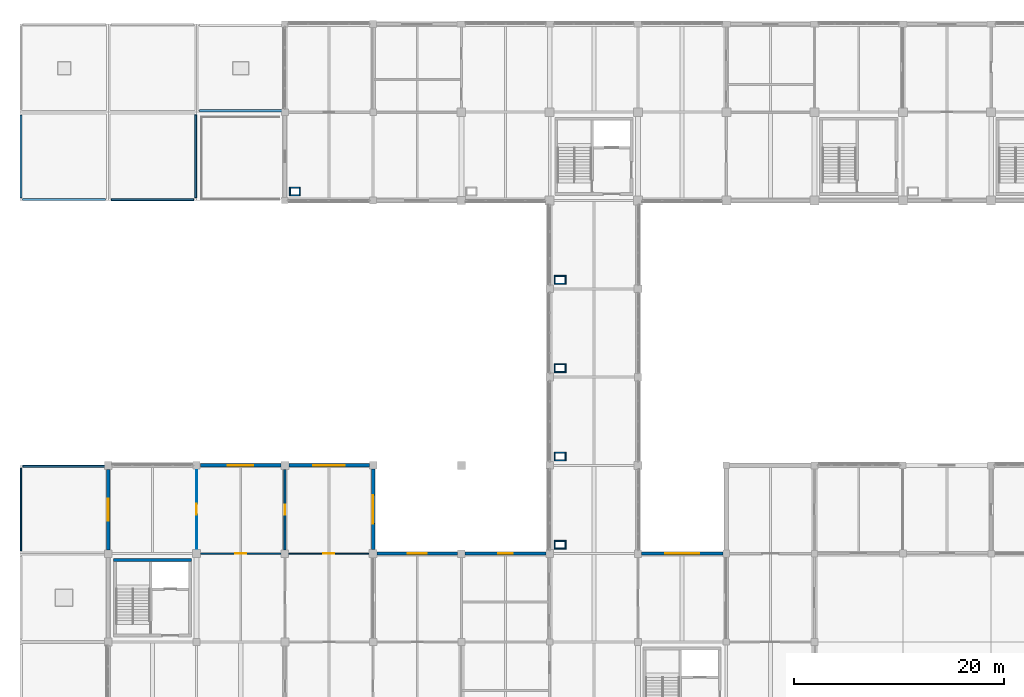
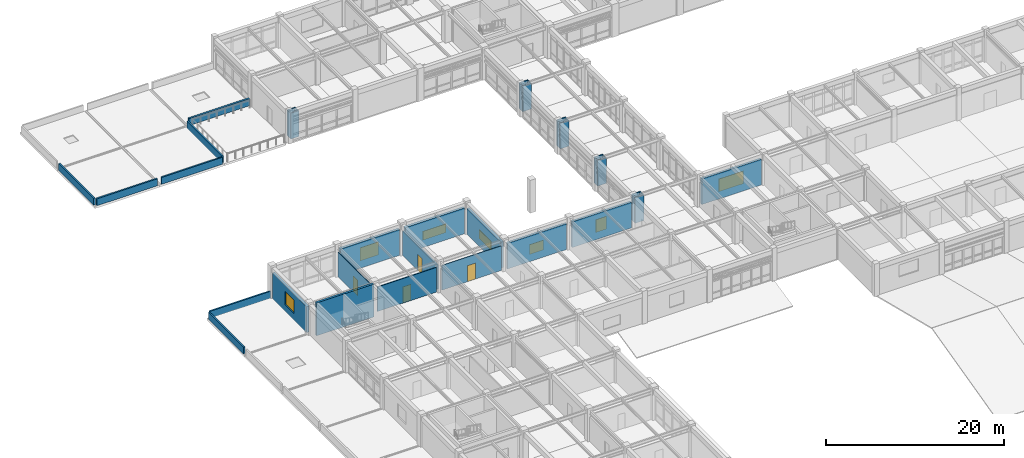
# One storey, part 65 of 78: 39 walls, 7 windows, 4 doors, 11 openings.
"""IFC4 building model written with IfcOpenShell, lengths in metres."""

from ifc_helpers import new_model, si_unit, direction, frame, frame_2d, origin, place, context, subcontext, project, spatial, rectangle, extrude, material, layer, layer_set, type_object, element, fill, save


model = new_model("IFC4")

# Units and contexts
model_context = context("Model", 3, precision=1e-05, world=origin(), true_north=direction((0.0, 1.0)))
body_context = subcontext(model_context, "Body", "Model", "MODEL_VIEW")
ifc_project = project(units=[si_unit("LENGTHUNIT", "METRE"), si_unit("AREAUNIT", "SQUARE_METRE"), si_unit("VOLUMEUNIT", "CUBIC_METRE"), si_unit("PLANEANGLEUNIT", "RADIAN"), si_unit("MASSUNIT", "GRAM", prefix="KILO")], contexts=[model_context])

# Site, building, storey
site_placement = place(None, origin())
site = spatial("IfcSite", under=ifc_project, at=site_placement, CompositionType="ELEMENT")
building_placement = place(site_placement, origin())
building = spatial("IfcBuilding", under=site, at=building_placement, Name="Porcellanite Civic Hall", CompositionType="ELEMENT")
storey_placement = place(building_placement, frame((0.0, 0.0, 10.260009765625)))
storey = spatial("IfcBuildingStorey", under=building, at=storey_placement, Name="L02", CompositionType="ELEMENT", Elevation=10.260009765625)

# Wall
ifc_material_1 = material(Name="Concrete N40 (40 MPa)", Category="concrete")
ifc_layer_1 = layer(ifc_material_1, 0.280029296875)
ifc_layer_set_1 = layer_set([ifc_layer_1], Name="Concrete N40 (40 MPa)")
wall_type_1 = type_object("IfcWallType", Name="CW-SH280", PredefinedType="SHEAR", material=ifc_layer_set_1)
wall_1_placement = place(storey_placement, frame((8.8798828125, 66.580078125, 0.0), z_axis=(0.0, 0.0, 1.0), x_axis=(1.0, 0.0, 0.0)))
element("IfcWall", 1, at=wall_1_placement, inside=storey, type_object=wall_type_1, Name="Core wall C2 L02 N", PredefinedType="SHEAR", context=body_context, shape_type="SweptSolid", body=[
    extrude(rectangle(XDim=7.440185546875, YDim=0.280029296875, at=frame_2d((3.72021484375, 0.0))), origin(), (0.0, 0.0, 1.0), 4.5),
])

# Wall, opening, window
ifc_material_2 = material(Name="Precast concrete N40 (40 MPa)", Category="concrete")
ifc_layer_2 = layer(ifc_material_2, 0.280029296875)
ifc_layer_set_2 = layer_set([ifc_layer_2], Name="Precast concrete N40 (40 MPa)")
wall_type_2 = type_object("IfcWallType", Name="EW-CLO280", PredefinedType="SOLIDWALL", material=ifc_layer_set_2)
wall_2_placement = place(storey_placement, frame((33.97607421875, 67.199951171875, 0.0), z_axis=(0.0, 0.0, 1.0), x_axis=(1.0, 0.0, 0.0)))
wall_2 = element("IfcWall", 2, at=wall_2_placement, inside=storey, type_object=wall_type_2, Name="Exterior wall L02 N 5-8", PredefinedType="SOLIDWALL", context=body_context, shape_type="SweptSolid", body=[
    extrude(rectangle(XDim=7.6728515625, YDim=0.280029296875, at=frame_2d((3.83642578125, 0.0))), origin(), (0.0, 0.0, 1.0), 3.5400390625),
])
opening_1_placement = place(wall_2_placement, frame((2.93701171875, 0.0, 0.89990234375)))
opening_1 = element("IfcOpeningElement", 3, at=opening_1_placement, cuts=wall_2, Name="Opening W12", PredefinedType="OPENING", context=body_context, shape_type="SweptSolid", body=[
    extrude(rectangle(XDim=1.800048828125, YDim=1.35009765625, at=frame_2d((0.89990234375, 0.675048828125))), frame((0.0, 0.14013671875, 0.0), z_axis=(0.0, -1.0, 0.0), x_axis=(1.0, 0.0, 0.0)), (0.0, 0.0, 1.0), 0.280029296875),
])
ifc_material_3 = material(Name="Cyclone laminated low-E glazing in anodised aluminium frame", Category="aluminium")
window_type_1 = type_object("IfcWindowType", Name="WN-12", PartitioningType="DOUBLE_PANEL_VERTICAL", PredefinedType="WINDOW", material=ifc_material_3)
window_1_placement = place(opening_1_placement, origin())
window_1 = element("IfcWindow", 4, at=window_1_placement, inside=storey, type_object=window_type_1, Name="Window W12 L02 N 5-8", OverallHeight=1.35009765625, OverallWidth=1.800048828125, PartitioningType="SINGLE_PANEL", PredefinedType="WINDOW", context=body_context, shape_type="SweptSolid", body=[
    extrude(rectangle(XDim=1.800048828125, YDim=1.35009765625, at=frame_2d((0.89990234375, 0.675048828125))), frame((0.0, 0.030029296875, 0.0), z_axis=(0.0, -1.0, 0.0), x_axis=(1.0, 0.0, 0.0)), (0.0, 0.0, 1.0), 0.06005859375),
])
fill(opening_1, window_1)

wall_3_placement = place(storey_placement, frame((42.35107421875, 67.199951171875, 0.0), z_axis=(0.0, 0.0, 1.0), x_axis=(1.0, 0.0, 0.0)))
wall_3 = element("IfcWall", 5, at=wall_3_placement, inside=storey, type_object=wall_type_2, Name="Exterior wall L02 N 6-8", PredefinedType="SOLIDWALL", context=body_context, shape_type="SweptSolid", body=[
    extrude(rectangle(XDim=7.6728515625, YDim=0.280029296875, at=frame_2d((3.83642578125, 0.0))), origin(), (0.0, 0.0, 1.0), 3.5400390625),
])
opening_2_placement = place(wall_3_placement, frame((3.135986328125, 0.0, 0.89990234375)))
opening_2 = element("IfcOpeningElement", 6, at=opening_2_placement, cuts=wall_3, Name="Opening W16", PredefinedType="OPENING", context=body_context, shape_type="SweptSolid", body=[
    extrude(rectangle(XDim=1.39990234375, YDim=1.75, at=frame_2d((0.699951171875, 0.875))), frame((0.0, 0.14013671875, 0.0), z_axis=(0.0, -1.0, 0.0), x_axis=(1.0, 0.0, 0.0)), (0.0, 0.0, 1.0), 0.280029296875),
])
ifc_material_4 = material(Name="Cyclone laminated low-E glazing in anodised aluminium frame", Category="aluminium")
window_type_2 = type_object("IfcWindowType", Name="WN-16", PartitioningType="SINGLE_PANEL", PredefinedType="WINDOW", material=ifc_material_4)
window_2_placement = place(opening_2_placement, origin())
window_2 = element("IfcWindow", 7, at=window_2_placement, inside=storey, type_object=window_type_2, Name="Window W16 L02 N 6-8", OverallHeight=1.75, OverallWidth=1.39990234375, PartitioningType="SINGLE_PANEL", PredefinedType="WINDOW", context=body_context, shape_type="SweptSolid", body=[
    extrude(rectangle(XDim=1.39990234375, YDim=1.75, at=frame_2d((0.699951171875, 0.875))), frame((0.0, 0.030029296875, 0.0), z_axis=(0.0, -1.0, 0.0), x_axis=(1.0, 0.0, 0.0)), (0.0, 0.0, 1.0), 0.06005859375),
])
fill(opening_2, window_2)

wall_4_placement = place(storey_placement, frame((59.15087890625, 67.199951171875, 0.0), z_axis=(0.0, 0.0, 1.0), x_axis=(1.0, 0.0, 0.0)))
wall_4 = element("IfcWall", 8, at=wall_4_placement, inside=storey, type_object=wall_type_2, Name="Exterior wall L02 N 8-8", PredefinedType="SOLIDWALL", context=body_context, shape_type="SweptSolid", body=[
    extrude(rectangle(XDim=7.72314453125, YDim=0.280029296875, at=frame_2d((3.861572265625, 0.0))), origin(), (0.0, 0.0, 1.0), 3.5400390625),
])
opening_3_placement = place(wall_4_placement, frame((2.260986328125, 0.0, 0.89990234375)))
opening_3 = element("IfcOpeningElement", 9, at=opening_3_placement, cuts=wall_4, Name="Opening W17", PredefinedType="OPENING", context=body_context, shape_type="SweptSolid", body=[
    extrude(rectangle(XDim=3.199951171875, YDim=1.75, at=frame_2d((1.60009765625, 0.875))), frame((0.0, 0.14013671875, 0.0), z_axis=(0.0, -1.0, 0.0), x_axis=(1.0, 0.0, 0.0)), (0.0, 0.0, 1.0), 0.280029296875),
])
ifc_material_5 = material(Name="Cyclone laminated low-E glazing in anodised aluminium frame", Category="aluminium")
window_type_3 = type_object("IfcWindowType", Name="WN-17", PartitioningType="TRIPLE_PANEL_VERTICAL", PredefinedType="WINDOW", material=ifc_material_5)
window_3_placement = place(opening_3_placement, origin())
window_3 = element("IfcWindow", 10, at=window_3_placement, inside=storey, type_object=window_type_3, Name="Window W17 L02 N 8-8", OverallHeight=1.75, OverallWidth=3.199951171875, PartitioningType="SINGLE_PANEL", PredefinedType="WINDOW", context=body_context, shape_type="SweptSolid", body=[
    extrude(rectangle(XDim=3.199951171875, YDim=1.75, at=frame_2d((1.60009765625, 0.875))), frame((0.0, 0.030029296875, 0.0), z_axis=(0.0, -1.0, 0.0), x_axis=(1.0, 0.0, 0.0)), (0.0, 0.0, 1.0), 0.06005859375),
])
fill(opening_3, window_3)

ifc_material_6 = material(Name="Precast concrete N40 (40 MPa)", Category="concrete")
ifc_layer_3 = layer(ifc_material_6, 0.320068359375)
ifc_layer_set_3 = layer_set([ifc_layer_3], Name="Precast concrete N40 (40 MPa)")
wall_type_3 = type_object("IfcWallType", Name="EW-COM320", PredefinedType="SOLIDWALL", material=ifc_layer_set_3)
wall_5_placement = place(storey_placement, frame((8.39990234375, 67.551025390625, 0.0), z_axis=(0.0, 0.0, 1.0), x_axis=(0.0, 1.0, 0.0)))
wall_5 = element("IfcWall", 11, at=wall_5_placement, inside=storey, type_object=wall_type_3, Name="Exterior wall L02 W 2-9", PredefinedType="SOLIDWALL", context=body_context, shape_type="SweptSolid", body=[
    extrude(rectangle(XDim=7.673095703125, YDim=0.320068359375, at=frame_2d((3.83642578125, 0.0))), origin(), (0.0, 0.0, 1.0), 3.5400390625),
])
opening_4_placement = place(wall_5_placement, frame((2.787109375, 0.0, 0.89990234375)))
opening_4 = element("IfcOpeningElement", 12, at=opening_4_placement, cuts=wall_5, Name="Opening W02", PredefinedType="OPENING", context=body_context, shape_type="SweptSolid", body=[
    extrude(rectangle(XDim=2.10009765625, YDim=1.800048828125, at=frame_2d((1.050048828125, 0.89990234375))), frame((0.0, 0.16015625, 0.0), z_axis=(0.0, -1.0, 0.0), x_axis=(1.0, 0.0, 0.0)), (0.0, 0.0, 1.0), 0.320068359375),
])
ifc_material_7 = material(Name="Cyclone laminated low-E glazing in anodised aluminium frame", Category="aluminium")
window_type_4 = type_object("IfcWindowType", Name="WN-02", PartitioningType="DOUBLE_PANEL_VERTICAL", PredefinedType="WINDOW", material=ifc_material_7)
window_4_placement = place(opening_4_placement, origin())
window_4 = element("IfcWindow", 13, at=window_4_placement, inside=storey, type_object=window_type_4, Name="Window W02 L02 W 2-9", OverallHeight=1.800048828125, OverallWidth=2.10009765625, PartitioningType="SINGLE_PANEL", PredefinedType="WINDOW", context=body_context, shape_type="SweptSolid", body=[
    extrude(rectangle(XDim=2.10009765625, YDim=1.800048828125, at=frame_2d((1.050048828125, 0.89990234375))), frame((0.0, 0.030029296875, 0.0), z_axis=(0.0, -1.0, 0.0), x_axis=(1.0, 0.0, 0.0)), (0.0, 0.0, 1.0), 0.06005859375),
])
fill(opening_4, window_4)

wall_6_placement = place(storey_placement, frame((17.15087890625, 75.60009765625, 0.0), z_axis=(0.0, 0.0, 1.0), x_axis=(1.0, 0.0, 0.0)))
wall_6 = element("IfcWall", 14, at=wall_6_placement, inside=storey, type_object=wall_type_3, Name="Exterior wall L02 N 3-9", PredefinedType="SOLIDWALL", context=body_context, shape_type="SweptSolid", body=[
    extrude(rectangle(XDim=7.673095703125, YDim=0.320068359375, at=frame_2d((3.83642578125, 0.0))), origin(), (0.0, 0.0, 1.0), 3.5400390625),
])
opening_5_placement = place(wall_6_placement, frame((2.635986328125, 0.0, 0.89990234375)))
opening_5 = element("IfcOpeningElement", 15, at=opening_5_placement, cuts=wall_6, Name="Opening W03", PredefinedType="OPENING", context=body_context, shape_type="SweptSolid", body=[
    extrude(rectangle(XDim=2.39990234375, YDim=1.800048828125, at=frame_2d((1.199951171875, 0.89990234375))), frame((0.0, 0.16015625, 0.0), z_axis=(0.0, -1.0, 0.0), x_axis=(1.0, 0.0, 0.0)), (0.0, 0.0, 1.0), 0.320068359375),
])
ifc_material_8 = material(Name="Cyclone laminated low-E glazing in anodised aluminium frame", Category="aluminium")
window_type_5 = type_object("IfcWindowType", Name="WN-03", PartitioningType="TRIPLE_PANEL_VERTICAL", PredefinedType="WINDOW", material=ifc_material_8)
window_5_placement = place(opening_5_placement, origin())
window_5 = element("IfcWindow", 16, at=window_5_placement, inside=storey, type_object=window_type_5, Name="Window W03 L02 N 3-9", OverallHeight=1.800048828125, OverallWidth=2.39990234375, PartitioningType="SINGLE_PANEL", PredefinedType="WINDOW", context=body_context, shape_type="SweptSolid", body=[
    extrude(rectangle(XDim=2.39990234375, YDim=1.800048828125, at=frame_2d((1.199951171875, 0.89990234375))), frame((0.0, 0.030029296875, 0.0), z_axis=(0.0, -1.0, 0.0), x_axis=(1.0, 0.0, 0.0)), (0.0, 0.0, 1.0), 0.06005859375),
])
fill(opening_5, window_5)

wall_7_placement = place(storey_placement, frame((25.575927734375, 75.60009765625, 0.0), z_axis=(0.0, 0.0, 1.0), x_axis=(1.0, 0.0, 0.0)))
wall_7 = element("IfcWall", 17, at=wall_7_placement, inside=storey, type_object=wall_type_3, Name="Exterior wall L02 N 4-9", PredefinedType="SOLIDWALL", context=body_context, shape_type="SweptSolid", body=[
    extrude(rectangle(XDim=7.673095703125, YDim=0.320068359375, at=frame_2d((3.83642578125, 0.0))), origin(), (0.0, 0.0, 1.0), 3.5400390625),
])
opening_6_placement = place(wall_7_placement, frame((2.3369140625, 0.0, 0.89990234375)))
opening_6 = element("IfcOpeningElement", 18, at=opening_6_placement, cuts=wall_7, Name="Opening W09", PredefinedType="OPENING", context=body_context, shape_type="SweptSolid", body=[
    extrude(rectangle(XDim=3.0, YDim=1.199951171875, at=frame_2d((1.5, 0.60009765625))), frame((0.0, 0.16015625, 0.0), z_axis=(0.0, -1.0, 0.0), x_axis=(1.0, 0.0, 0.0)), (0.0, 0.0, 1.0), 0.320068359375),
])
ifc_material_9 = material(Name="Cyclone laminated low-E glazing in anodised aluminium frame", Category="aluminium")
window_type_6 = type_object("IfcWindowType", Name="WN-09", PartitioningType="TRIPLE_PANEL_HORIZONTAL", PredefinedType="WINDOW", material=ifc_material_9)
window_6_placement = place(opening_6_placement, origin())
window_6 = element("IfcWindow", 19, at=window_6_placement, inside=storey, type_object=window_type_6, Name="Window W09 L02 N 4-9", OverallHeight=1.199951171875, OverallWidth=3.0, PartitioningType="SINGLE_PANEL", PredefinedType="WINDOW", context=body_context, shape_type="SweptSolid", body=[
    extrude(rectangle(XDim=3.0, YDim=1.199951171875, at=frame_2d((1.5, 0.60009765625))), frame((0.0, 0.030029296875, 0.0), z_axis=(0.0, -1.0, 0.0), x_axis=(1.0, 0.0, 0.0)), (0.0, 0.0, 1.0), 0.06005859375),
])
fill(opening_6, window_6)

wall_8_placement = place(storey_placement, frame((33.60009765625, 75.2490234375, 0.0), z_axis=(0.0, 0.0, 1.0), x_axis=(0.0, -1.0, 0.0)))
wall_8 = element("IfcWall", 20, at=wall_8_placement, inside=storey, type_object=wall_type_3, Name="Exterior wall L02 E 4-9", PredefinedType="SOLIDWALL", context=body_context, shape_type="SweptSolid", body=[
    extrude(rectangle(XDim=7.673095703125, YDim=0.320068359375, at=frame_2d((3.83642578125, 0.0))), origin(), (0.0, 0.0, 1.0), 3.5400390625),
])
opening_7_placement = place(wall_8_placement, frame((2.486083984375, 0.0, 0.89990234375)))
opening_7 = element("IfcOpeningElement", 21, at=opening_7_placement, cuts=wall_8, Name="Opening W10", PredefinedType="OPENING", context=body_context, shape_type="SweptSolid", body=[
    extrude(rectangle(XDim=2.699951171875, YDim=1.199951171875, at=frame_2d((1.35009765625, 0.60009765625))), frame((0.0, 0.16015625, 0.0), z_axis=(0.0, -1.0, 0.0), x_axis=(1.0, 0.0, 0.0)), (0.0, 0.0, 1.0), 0.320068359375),
])
ifc_material_10 = material(Name="Cyclone laminated low-E glazing in anodised aluminium frame", Category="aluminium")
window_type_7 = type_object("IfcWindowType", Name="WN-10", PartitioningType="DOUBLE_PANEL_HORIZONTAL", PredefinedType="WINDOW", material=ifc_material_10)
window_7_placement = place(opening_7_placement, origin())
window_7 = element("IfcWindow", 22, at=window_7_placement, inside=storey, type_object=window_type_7, Name="Window W10 L02 E 4-9", OverallHeight=1.199951171875, OverallWidth=2.699951171875, PartitioningType="SINGLE_PANEL", PredefinedType="WINDOW", context=body_context, shape_type="SweptSolid", body=[
    extrude(rectangle(XDim=2.699951171875, YDim=1.199951171875, at=frame_2d((1.35009765625, 0.60009765625))), frame((0.0, 0.030029296875, 0.0), z_axis=(0.0, -1.0, 0.0), x_axis=(1.0, 0.0, 0.0)), (0.0, 0.0, 1.0), 0.06005859375),
])
fill(opening_7, window_7)

# Walls
ifc_material_11 = material(Name="Fire-rated shaftwall plasterboard on steel studs", Category="steel")
ifc_layer_4 = layer(ifc_material_11, 0.117919921875)
ifc_layer_set_4 = layer_set([ifc_layer_4], Name="Fire-rated shaftwall plasterboard on steel studs")
wall_type_4 = type_object("IfcWallType", Name="IW-FR118", PredefinedType="PARTITIONING", material=ifc_layer_set_4)
for number, where, z_axis, x_axis, name in (
    (23, (25.632080078125, 101.291015625, 0.0), (0.0, 0.0, 1.0), (1.0, 0.0, 0.0), "Fire riser shaftwall S L02 3-12"),
    (24, (25.632080078125, 102.009033203125, 0.0), (0.0, 0.0, 1.0), (1.0, 0.0, 0.0), "Fire riser shaftwall N L02 3-12"),
):
    element("IfcWall", number, at=place(storey_placement, frame(where, z_axis=z_axis, x_axis=x_axis)), inside=storey, type_object=wall_type_4, Name=name, PredefinedType="PARTITIONING", context=body_context, shape_type="SweptSolid", body=[
        extrude(rectangle(XDim=1.035888671875, YDim=0.117919921875, at=frame_2d((0.51806640625, 0.0))), origin(), (0.0, 0.0, 1.0), 3.530029296875),
    ])
for number, where, z_axis, x_axis, name in (
    (25, (25.69091796875, 101.35009765625, 0.0), (0.0, 0.0, 1.0), (0.0, 1.0, 0.0), "Fire riser shaftwall W L02 3-12"),
    (26, (26.60888671875, 101.35009765625, 0.0), (0.0, 0.0, 1.0), (0.0, 1.0, 0.0), "Fire riser shaftwall E L02 3-12"),
):
    element("IfcWall", number, at=place(storey_placement, frame(where, z_axis=z_axis, x_axis=x_axis)), inside=storey, type_object=wall_type_4, Name=name, PredefinedType="PARTITIONING", context=body_context, shape_type="SweptSolid", body=[
        extrude(rectangle(XDim=0.599853515625, YDim=0.117919921875, at=frame_2d((0.2998046875, 0.0))), origin(), (0.0, 0.0, 1.0), 3.530029296875),
    ])
for number, where, z_axis, x_axis, name in (
    (27, (50.83203125, 67.69091796875, 0.0), (0.0, 0.0, 1.0), (1.0, 0.0, 0.0), "Fire riser shaftwall S L02 6-8"),
    (28, (50.83203125, 68.408935546875, 0.0), (0.0, 0.0, 1.0), (1.0, 0.0, 0.0), "Fire riser shaftwall N L02 6-8"),
):
    element("IfcWall", number, at=place(storey_placement, frame(where, z_axis=z_axis, x_axis=x_axis)), inside=storey, type_object=wall_type_4, Name=name, PredefinedType="PARTITIONING", context=body_context, shape_type="SweptSolid", body=[
        extrude(rectangle(XDim=1.135986328125, YDim=0.117919921875, at=frame_2d((0.56787109375, 0.0))), origin(), (0.0, 0.0, 1.0), 3.530029296875),
    ])
for number, where, z_axis, x_axis, name in (
    (29, (50.89111328125, 67.75, 0.0), (0.0, 0.0, 1.0), (0.0, 1.0, 0.0), "Fire riser shaftwall W L02 6-8"),
    (30, (51.908935546875, 67.75, 0.0), (0.0, 0.0, 1.0), (0.0, 1.0, 0.0), "Fire riser shaftwall E L02 6-8"),
):
    element("IfcWall", number, at=place(storey_placement, frame(where, z_axis=z_axis, x_axis=x_axis)), inside=storey, type_object=wall_type_4, Name=name, PredefinedType="PARTITIONING", context=body_context, shape_type="SweptSolid", body=[
        extrude(rectangle(XDim=0.60009765625, YDim=0.117919921875, at=frame_2d((0.300048828125, 0.0))), origin(), (0.0, 0.0, 1.0), 3.530029296875),
    ])
for number, where, z_axis, x_axis, name in (
    (31, (50.83203125, 76.091064453125, 0.0), (0.0, 0.0, 1.0), (1.0, 0.0, 0.0), "Fire riser shaftwall S L02 6-9"),
    (32, (50.83203125, 76.80908203125, 0.0), (0.0, 0.0, 1.0), (1.0, 0.0, 0.0), "Fire riser shaftwall N L02 6-9"),
):
    element("IfcWall", number, at=place(storey_placement, frame(where, z_axis=z_axis, x_axis=x_axis)), inside=storey, type_object=wall_type_4, Name=name, PredefinedType="PARTITIONING", context=body_context, shape_type="SweptSolid", body=[
        extrude(rectangle(XDim=1.135986328125, YDim=0.117919921875, at=frame_2d((0.56787109375, 0.0))), origin(), (0.0, 0.0, 1.0), 3.530029296875),
    ])
for number, where, z_axis, x_axis, name in (
    (33, (50.89111328125, 76.14990234375, 0.0), (0.0, 0.0, 1.0), (0.0, 1.0, 0.0), "Fire riser shaftwall W L02 6-9"),
    (34, (51.908935546875, 76.14990234375, 0.0), (0.0, 0.0, 1.0), (0.0, 1.0, 0.0), "Fire riser shaftwall E L02 6-9"),
):
    element("IfcWall", number, at=place(storey_placement, frame(where, z_axis=z_axis, x_axis=x_axis)), inside=storey, type_object=wall_type_4, Name=name, PredefinedType="PARTITIONING", context=body_context, shape_type="SweptSolid", body=[
        extrude(rectangle(XDim=0.60009765625, YDim=0.117919921875, at=frame_2d((0.300048828125, 0.0))), origin(), (0.0, 0.0, 1.0), 3.530029296875),
    ])
for number, where, z_axis, x_axis, name in (
    (35, (50.83203125, 84.490966796875, 0.0), (0.0, 0.0, 1.0), (1.0, 0.0, 0.0), "Fire riser shaftwall S L02 6-10"),
    (36, (50.83203125, 85.208984375, 0.0), (0.0, 0.0, 1.0), (1.0, 0.0, 0.0), "Fire riser shaftwall N L02 6-10"),
):
    element("IfcWall", number, at=place(storey_placement, frame(where, z_axis=z_axis, x_axis=x_axis)), inside=storey, type_object=wall_type_4, Name=name, PredefinedType="PARTITIONING", context=body_context, shape_type="SweptSolid", body=[
        extrude(rectangle(XDim=1.135986328125, YDim=0.117919921875, at=frame_2d((0.56787109375, 0.0))), origin(), (0.0, 0.0, 1.0), 3.530029296875),
    ])
for number, where, z_axis, x_axis, name in (
    (37, (50.89111328125, 84.550048828125, 0.0), (0.0, 0.0, 1.0), (0.0, 1.0, 0.0), "Fire riser shaftwall W L02 6-10"),
    (38, (51.908935546875, 84.550048828125, 0.0), (0.0, 0.0, 1.0), (0.0, 1.0, 0.0), "Fire riser shaftwall E L02 6-10"),
):
    element("IfcWall", number, at=place(storey_placement, frame(where, z_axis=z_axis, x_axis=x_axis)), inside=storey, type_object=wall_type_4, Name=name, PredefinedType="PARTITIONING", context=body_context, shape_type="SweptSolid", body=[
        extrude(rectangle(XDim=0.599853515625, YDim=0.117919921875, at=frame_2d((0.2998046875, 0.0))), origin(), (0.0, 0.0, 1.0), 3.530029296875),
    ])
for number, where, z_axis, x_axis, name in (
    (39, (50.83203125, 92.89111328125, 0.0), (0.0, 0.0, 1.0), (1.0, 0.0, 0.0), "Fire riser shaftwall S L02 6-11"),
    (40, (50.83203125, 93.60888671875, 0.0), (0.0, 0.0, 1.0), (1.0, 0.0, 0.0), "Fire riser shaftwall N L02 6-11"),
):
    element("IfcWall", number, at=place(storey_placement, frame(where, z_axis=z_axis, x_axis=x_axis)), inside=storey, type_object=wall_type_4, Name=name, PredefinedType="PARTITIONING", context=body_context, shape_type="SweptSolid", body=[
        extrude(rectangle(XDim=1.135986328125, YDim=0.117919921875, at=frame_2d((0.56787109375, 0.0))), origin(), (0.0, 0.0, 1.0), 3.530029296875),
    ])
for number, where, z_axis, x_axis, name in (
    (41, (50.89111328125, 92.949951171875, 0.0), (0.0, 0.0, 1.0), (0.0, 1.0, 0.0), "Fire riser shaftwall W L02 6-11"),
    (42, (51.908935546875, 92.949951171875, 0.0), (0.0, 0.0, 1.0), (0.0, 1.0, 0.0), "Fire riser shaftwall E L02 6-11"),
):
    element("IfcWall", number, at=place(storey_placement, frame(where, z_axis=z_axis, x_axis=x_axis)), inside=storey, type_object=wall_type_4, Name=name, PredefinedType="PARTITIONING", context=body_context, shape_type="SweptSolid", body=[
        extrude(rectangle(XDim=0.60009765625, YDim=0.117919921875, at=frame_2d((0.300048828125, 0.0))), origin(), (0.0, 0.0, 1.0), 3.530029296875),
    ])

# Wall, opening, door
ifc_material_12 = material(Name="Insulated acoustic plasterboard on light-gauge steel studs", Category="steel")
ifc_layer_5 = layer(ifc_material_12, 0.087890625)
ifc_layer_set_5 = layer_set([ifc_layer_5], Name="Insulated acoustic plasterboard on light-gauge steel studs")
wall_type_5 = type_object("IfcWallType", Name="IW-PT088", PredefinedType="PARTITIONING", material=ifc_layer_set_5)
wall_9_placement = place(storey_placement, frame((25.552001953125, 67.199951171875, 0.0), z_axis=(0.0, 0.0, 1.0), x_axis=(1.0, 0.0, 0.0)))
wall_9 = element("IfcWall", 43, at=wall_9_placement, inside=storey, type_object=wall_type_5, Name="Partition L02 H 4-8", PredefinedType="PARTITIONING", context=body_context, shape_type="SweptSolid", body=[
    extrude(rectangle(XDim=7.6708984375, YDim=0.087890625, at=frame_2d((3.83544921875, 0.0))), origin(), (0.0, 0.0, 1.0), 3.369873046875),
])
opening_8_placement = place(wall_9_placement, frame((3.31591796875, 0.0, 0.0)))
opening_8 = element("IfcOpeningElement", 44, at=opening_8_placement, cuts=wall_9, Name="Opening D-L02-366", PredefinedType="OPENING", context=body_context, shape_type="SweptSolid", body=[
    extrude(rectangle(XDim=1.0400390625, YDim=2.199951171875, at=frame_2d((0.52001953125, 1.10009765625))), frame((0.0, 0.0439453125, 0.0), z_axis=(0.0, -1.0, 0.0), x_axis=(1.0, 0.0, 0.0)), (0.0, 0.0, 1.0), 0.087890625),
])
ifc_material_13 = material(Name="Solid-core spotted-gum timber", Category="wood")
door_type_1 = type_object("IfcDoorType", Name="DR-RM104", OperationType="NOTDEFINED", PredefinedType="DOOR", material=ifc_material_13)
door_1_placement = place(opening_8_placement, origin())
door_1 = element("IfcDoor", 45, at=door_1_placement, inside=storey, type_object=door_type_1, Name="Interior door D-L02-366", OperationType="SINGLE_SWING_RIGHT", OverallHeight=2.199951171875, OverallWidth=1.0400390625, PredefinedType="DOOR", context=body_context, shape_type="SweptSolid", body=[
    extrude(rectangle(XDim=1.0400390625, YDim=2.199951171875, at=frame_2d((0.52001953125, 1.10009765625))), frame((0.0, 0.02490234375, 0.0), z_axis=(0.0, -1.0, 0.0), x_axis=(1.0, 0.0, 0.0)), (0.0, 0.0, 1.0), 0.050048828125),
])
fill(opening_8, door_1)

ifc_material_14 = material(Name="Insulated acoustic plasterboard on light-gauge steel studs", Category="steel")
ifc_layer_6 = layer(ifc_material_14, 0.094970703125)
ifc_layer_set_6 = layer_set([ifc_layer_6], Name="Insulated acoustic plasterboard on light-gauge steel studs")
wall_type_6 = type_object("IfcWallType", Name="IW-PT095", PredefinedType="PARTITIONING", material=ifc_layer_set_6)
wall_10_placement = place(storey_placement, frame((16.800048828125, 67.576904296875, 0.0), z_axis=(0.0, 0.0, 1.0), x_axis=(0.0, 1.0, 0.0)))
wall_10 = element("IfcWall", 46, at=wall_10_placement, inside=storey, type_object=wall_type_6, Name="Partition L02 V 2-9", PredefinedType="PARTITIONING", context=body_context, shape_type="SweptSolid", body=[
    extrude(rectangle(XDim=7.671142578125, YDim=0.094970703125, at=frame_2d((3.83544921875, 0.0))), origin(), (0.0, 0.0, 1.0), 3.369873046875),
])
opening_9_placement = place(wall_10_placement, frame((3.31103515625, 0.0, 0.0)))
opening_9 = element("IfcOpeningElement", 47, at=opening_9_placement, cuts=wall_10, Name="Opening D-L02-373", PredefinedType="OPENING", context=body_context, shape_type="SweptSolid", body=[
    extrude(rectangle(XDim=1.050048828125, YDim=2.1201171875, at=frame_2d((0.52490234375, 1.06005859375))), frame((0.0, 0.04736328125, 0.0), z_axis=(0.0, -1.0, 0.0), x_axis=(1.0, 0.0, 0.0)), (0.0, 0.0, 1.0), 0.094970703125),
])
ifc_material_15 = material(Name="Solid-core spotted-gum timber", Category="wood")
door_type_2 = type_object("IfcDoorType", Name="DR-RM105", OperationType="NOTDEFINED", PredefinedType="DOOR", material=ifc_material_15)
door_2_placement = place(opening_9_placement, origin())
door_2 = element("IfcDoor", 48, at=door_2_placement, inside=storey, type_object=door_type_2, Name="Interior door D-L02-373", OperationType="SINGLE_SWING_LEFT", OverallHeight=2.1201171875, OverallWidth=1.050048828125, PredefinedType="DOOR", context=body_context, shape_type="SweptSolid", body=[
    extrude(rectangle(XDim=1.050048828125, YDim=2.1201171875, at=frame_2d((0.52490234375, 1.06005859375))), frame((0.0, 0.02490234375, 0.0), z_axis=(0.0, -1.0, 0.0), x_axis=(1.0, 0.0, 0.0)), (0.0, 0.0, 1.0), 0.050048828125),
])
fill(opening_9, door_2)

ifc_material_16 = material(Name="Insulated acoustic plasterboard on light-gauge steel studs", Category="steel")
ifc_layer_7 = layer(ifc_material_16, 0.114990234375)
ifc_layer_set_7 = layer_set([ifc_layer_7], Name="Insulated acoustic plasterboard on light-gauge steel studs")
wall_type_7 = type_object("IfcWallType", Name="IW-PT115", PredefinedType="PARTITIONING", material=ifc_layer_set_7)
wall_11_placement = place(storey_placement, frame((17.177001953125, 67.199951171875, 0.0), z_axis=(0.0, 0.0, 1.0), x_axis=(1.0, 0.0, 0.0)))
wall_11 = element("IfcWall", 49, at=wall_11_placement, inside=storey, type_object=wall_type_7, Name="Partition L02 H 3-8", PredefinedType="PARTITIONING", context=body_context, shape_type="SweptSolid", body=[
    extrude(rectangle(XDim=7.6708984375, YDim=0.114990234375, at=frame_2d((3.83544921875, 0.0))), origin(), (0.0, 0.0, 1.0), 3.369873046875),
])
opening_10_placement = place(wall_11_placement, frame((3.31591796875, 0.0, 0.0)))
opening_10 = element("IfcOpeningElement", 50, at=opening_10_placement, cuts=wall_11, Name="Opening D-L02-327", PredefinedType="OPENING", context=body_context, shape_type="SweptSolid", body=[
    extrude(rectangle(XDim=1.0400390625, YDim=2.199951171875, at=frame_2d((0.52001953125, 1.10009765625))), frame((0.0, 0.0576171875, 0.0), z_axis=(0.0, -1.0, 0.0), x_axis=(1.0, 0.0, 0.0)), (0.0, 0.0, 1.0), 0.114990234375),
])
door_3_placement = place(opening_10_placement, origin())
door_3 = element("IfcDoor", 51, at=door_3_placement, inside=storey, type_object=door_type_1, Name="Interior door D-L02-327", OperationType="SINGLE_SWING_LEFT", OverallHeight=2.199951171875, OverallWidth=1.0400390625, PredefinedType="DOOR", context=body_context, shape_type="SweptSolid", body=[
    extrude(rectangle(XDim=1.0400390625, YDim=2.199951171875, at=frame_2d((0.52001953125, 1.10009765625))), frame((0.0, 0.02490234375, 0.0), z_axis=(0.0, -1.0, 0.0), x_axis=(1.0, 0.0, 0.0)), (0.0, 0.0, 1.0), 0.050048828125),
])
fill(opening_10, door_3)

ifc_material_17 = material(Name="Insulated acoustic plasterboard on light-gauge steel studs", Category="steel")
ifc_layer_8 = layer(ifc_material_17, 0.18505859375)
ifc_layer_set_8 = layer_set([ifc_layer_8], Name="Insulated acoustic plasterboard on light-gauge steel studs")
wall_type_8 = type_object("IfcWallType", Name="IW-PT185", PredefinedType="PARTITIONING", material=ifc_layer_set_8)
wall_12_placement = place(storey_placement, frame((25.199951171875, 67.552001953125, 0.0), z_axis=(0.0, 0.0, 1.0), x_axis=(0.0, 1.0, 0.0)))
wall_12 = element("IfcWall", 52, at=wall_12_placement, inside=storey, type_object=wall_type_8, Name="Partition L02 V 3-9", PredefinedType="PARTITIONING", context=body_context, shape_type="SweptSolid", body=[
    extrude(rectangle(XDim=7.6708984375, YDim=0.18505859375, at=frame_2d((3.83544921875, 0.0))), origin(), (0.0, 0.0, 1.0), 3.369873046875),
])
opening_11_placement = place(wall_12_placement, frame((3.35595703125, 0.0, 0.0)))
opening_11 = element("IfcOpeningElement", 53, at=opening_11_placement, cuts=wall_12, Name="Opening D-L02-396", PredefinedType="OPENING", context=body_context, shape_type="SweptSolid", body=[
    extrude(rectangle(XDim=0.9599609375, YDim=2.179931640625, at=frame_2d((0.47998046875, 1.08984375))), frame((0.0, 0.092529296875, 0.0), z_axis=(0.0, -1.0, 0.0), x_axis=(1.0, 0.0, 0.0)), (0.0, 0.0, 1.0), 0.18505859375),
])
ifc_material_18 = material(Name="Solid-core spotted-gum timber", Category="wood")
door_type_3 = type_object("IfcDoorType", Name="DR-RM096", OperationType="NOTDEFINED", PredefinedType="DOOR", material=ifc_material_18)
door_4_placement = place(opening_11_placement, origin())
door_4 = element("IfcDoor", 54, at=door_4_placement, inside=storey, type_object=door_type_3, Name="Interior door D-L02-396", OperationType="SINGLE_SWING_RIGHT", OverallHeight=2.179931640625, OverallWidth=0.9599609375, PredefinedType="DOOR", context=body_context, shape_type="SweptSolid", body=[
    extrude(rectangle(XDim=0.9599609375, YDim=2.179931640625, at=frame_2d((0.47998046875, 1.08984375))), frame((0.0, 0.02490234375, 0.0), z_axis=(0.0, -1.0, 0.0), x_axis=(1.0, 0.0, 0.0)), (0.0, 0.0, 1.0), 0.050048828125),
])
fill(opening_11, door_4)

# Walls
ifc_material_19 = material(Name="Precast concrete N40 (40 MPa)", Category="concrete")
ifc_layer_9 = layer(ifc_material_19, 0.25)
ifc_layer_set_9 = layer_set([ifc_layer_9], Name="Precast concrete N40 (40 MPa)")
wall_type_9 = type_object("IfcWallType", Name="WP-PAR1", PredefinedType="PARAPET", material=ifc_layer_set_9)
wall_13_placement = place(storey_placement, frame((24.93994140625, 109.324951171875, 0.0), z_axis=(0.0, 0.0, 1.0), x_axis=(-1.0, 0.0, 0.0)))
element("IfcWall", 55, at=wall_13_placement, inside=storey, type_object=wall_type_9, Name="Roof parapet L02 S 3-14", PredefinedType="PARAPET", context=body_context, shape_type="SweptSolid", body=[
    extrude(rectangle(XDim=7.8798828125, YDim=0.25, at=frame_2d((3.93994140625, 0.0))), origin(), (0.0, 0.0, 1.0), 0.949951171875),
])
ifc_material_20 = material(Name="Precast concrete N40 (40 MPa)", Category="concrete")
ifc_layer_10 = layer(ifc_material_20, 0.2099609375)
ifc_layer_set_10 = layer_set([ifc_layer_10], Name="Precast concrete N40 (40 MPa)")
wall_type_10 = type_object("IfcWallType", Name="WP-PAR3", PredefinedType="PARAPET", material=ifc_layer_set_10)
for number, where, z_axis, x_axis, name in (
    (56, (8.139892578125, 100.905029296875, 0.0), (0.0, 0.0, 1.0), (-1.0, 0.0, 0.0), "Roof parapet L02 S 1-13"),
    (57, (0.10498046875, 101.06005859375, 0.0), (0.0, 0.0, 1.0), (0.0, 1.0, 0.0), "Roof parapet L02 W 1-13"),
):
    element("IfcWall", number, at=place(storey_placement, frame(where, z_axis=z_axis, x_axis=x_axis)), inside=storey, type_object=wall_type_10, Name=name, PredefinedType="PARAPET", context=body_context, shape_type="SweptSolid", body=[
        extrude(rectangle(XDim=7.8798828125, YDim=0.2099609375, at=frame_2d((3.93994140625, 0.0))), origin(), (0.0, 0.0, 1.0), 0.949951171875),
    ])
ifc_material_21 = material(Name="Precast concrete N40 (40 MPa)", Category="concrete")
ifc_layer_11 = layer(ifc_material_21, 0.18994140625)
ifc_layer_set_11 = layer_set([ifc_layer_11], Name="Precast concrete N40 (40 MPa)")
wall_type_11 = type_object("IfcWallType", Name="WP-PAR4", PredefinedType="PARAPET", material=ifc_layer_set_11)
wall_14_placement = place(storey_placement, frame((0.094970703125, 67.4599609375, 0.0), z_axis=(0.0, 0.0, 1.0), x_axis=(0.0, 1.0, 0.0)))
element("IfcWall", 58, at=wall_14_placement, inside=storey, type_object=wall_type_11, Name="Roof parapet L02 W 1-9", PredefinedType="PARAPET", context=body_context, shape_type="SweptSolid", body=[
    extrude(rectangle(XDim=7.880126953125, YDim=0.18994140625, at=frame_2d((3.93994140625, 0.0))), origin(), (0.0, 0.0, 1.0), 0.949951171875),
])
wall_15_placement = place(storey_placement, frame((0.260009765625, 75.5048828125, 0.0), z_axis=(0.0, 0.0, 1.0), x_axis=(1.0, 0.0, 0.0)))
element("IfcWall", 59, at=wall_15_placement, inside=storey, type_object=wall_type_11, Name="Roof parapet L02 N 1-9", PredefinedType="PARAPET", context=body_context, shape_type="SweptSolid", body=[
    extrude(rectangle(XDim=7.8798828125, YDim=0.18994140625, at=frame_2d((3.93994140625, 0.0))), origin(), (0.0, 0.0, 1.0), 0.949951171875),
])
wall_16_placement = place(storey_placement, frame((16.5400390625, 100.89501953125, 0.0), z_axis=(0.0, 0.0, 1.0), x_axis=(-1.0, 0.0, 0.0)))
element("IfcWall", 60, at=wall_16_placement, inside=storey, type_object=wall_type_11, Name="Roof parapet L02 S 2-13", PredefinedType="PARAPET", context=body_context, shape_type="SweptSolid", body=[
    extrude(rectangle(XDim=7.880126953125, YDim=0.18994140625, at=frame_2d((3.93994140625, 0.0))), origin(), (0.0, 0.0, 1.0), 0.949951171875),
])
wall_17_placement = place(storey_placement, frame((16.705078125, 108.93994140625, 0.0), z_axis=(0.0, 0.0, 1.0), x_axis=(0.0, -1.0, 0.0)))
element("IfcWall", 61, at=wall_17_placement, inside=storey, type_object=wall_type_11, Name="Roof parapet L02 E 2-13", PredefinedType="PARAPET", context=body_context, shape_type="SweptSolid", body=[
    extrude(rectangle(XDim=7.8798828125, YDim=0.18994140625, at=frame_2d((3.93994140625, 0.0))), origin(), (0.0, 0.0, 1.0), 0.949951171875),
])

save(model, "model.ifc")
